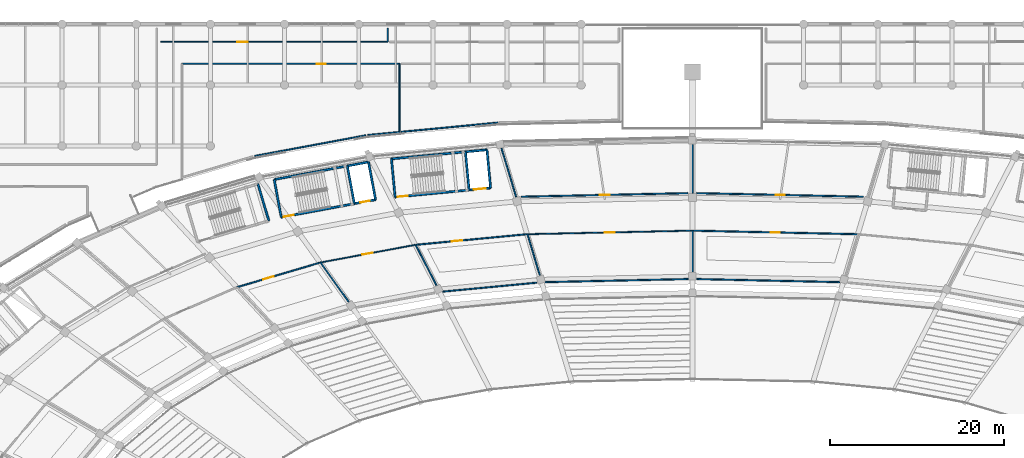
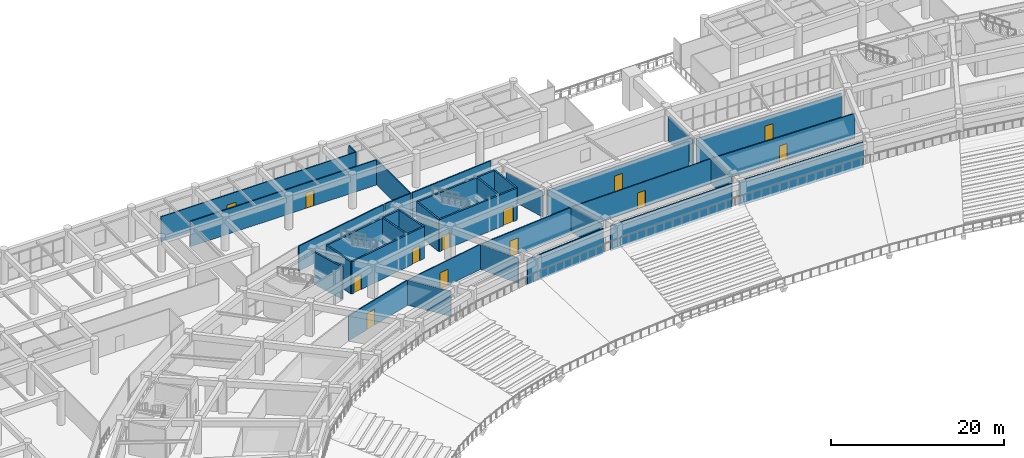
# One storey, part 112 of 152: 34 walls, 13 doors, 13 openings.
"""IFC4 building model written with IfcOpenShell, lengths in metres."""

from ifc_helpers import new_model, si_unit, direction, frame, frame_2d, origin, place, context, subcontext, project, spatial, rectangle, extrude, material, layer, layer_set, type_object, element, fill, save


model = new_model("IFC4")

# Units and contexts
model_context = context("Model", 3, precision=1e-05, world=origin(), true_north=direction((0.0, 1.0)))
body_context = subcontext(model_context, "Body", "Model", "MODEL_VIEW")
ifc_project = project(units=[si_unit("LENGTHUNIT", "METRE"), si_unit("AREAUNIT", "SQUARE_METRE"), si_unit("VOLUMEUNIT", "CUBIC_METRE"), si_unit("PLANEANGLEUNIT", "RADIAN"), si_unit("MASSUNIT", "GRAM", prefix="KILO")], contexts=[model_context])

# Site, building, storey
site_placement = place(None, origin())
site = spatial("IfcSite", under=ifc_project, at=site_placement, CompositionType="ELEMENT")
building_placement = place(site_placement, origin())
building = spatial("IfcBuilding", under=site, at=building_placement, Name="Mphavela Belvedere Stadium", CompositionType="ELEMENT")
storey_placement = place(building_placement, frame((0.0, 0.0, 5.39990234375)))
storey = spatial("IfcBuildingStorey", under=building, at=storey_placement, Name="L01", CompositionType="ELEMENT", Elevation=5.39990234375)

# Walls
ifc_material_1 = material(Name="Concrete C40/50", Category="concrete")
ifc_layer_1 = layer(ifc_material_1, 0.219970703125)
ifc_layer_set_1 = layer_set([ifc_layer_1], Name="Concrete C40/50")
wall_type_1 = type_object("IfcWallType", Name="WAL-CORE-SHEAR-220", PredefinedType="SHEAR", material=ifc_layer_set_1)
wall_1_placement = place(storey_placement, frame((66.955322265625, 156.146728515625, 0.0), z_axis=(0.0, 0.0, 1.0), x_axis=(0.983093434234, 0.183104613723, 0.0)))
element("IfcWall", 1, at=wall_1_placement, inside=storey, type_object=wall_type_1, Name="Core C02 shear wall L01 rear", PredefinedType="SHEAR", context=body_context, shape_type="SweptSolid", body=[
    extrude(rectangle(XDim=11.02001953125, YDim=0.219970703125, at=frame_2d((5.510009765625, 0.0))), origin(), (0.0, 0.0, 1.0), 4.550048828125),
])
for number, where, z_axis, x_axis, name in (
    (2, (67.7626953125, 151.811279296875, 0.0), (0.0, 0.0, 1.0), (-0.183078394814, 0.983098317236, 0.0), "Core C02 shear wall L01 left"),
    (3, (78.596435546875, 153.8291015625, 0.0), (0.0, 0.0, 1.0), (-0.183078394814, 0.983098317236, 0.0), "Core C02 shear wall L01 right"),
):
    element("IfcWall", number, at=place(storey_placement, frame(where, z_axis=z_axis, x_axis=x_axis)), inside=storey, type_object=wall_type_1, Name=name, PredefinedType="SHEAR", context=body_context, shape_type="SweptSolid", body=[
        extrude(rectangle(XDim=4.409912109375, YDim=0.219970703125, at=frame_2d((2.205078125, 0.0))), origin(), (0.0, 0.0, 1.0), 4.550048828125),
    ])

# Wall, openings, doors
wall_2_placement = place(storey_placement, frame((67.7626953125, 151.811279296875, 0.0), z_axis=(0.0, 0.0, 1.0), x_axis=(0.983093434234, 0.183104613723, 0.0)))
wall_2 = element("IfcWall", 4, at=wall_2_placement, inside=storey, type_object=wall_type_1, Name="Core C02 shear wall L01 front", PredefinedType="SHEAR", context=body_context, shape_type="SweptSolid", body=[
    extrude(rectangle(XDim=11.02001953125, YDim=0.219970703125, at=frame_2d((5.510009765625, 0.0))), origin(), (0.0, 0.0, 1.0), 4.550048828125),
])
opening_1_placement = place(wall_2_placement, frame((0.300048828125, 0.0, 0.0)))
opening_1 = element("IfcOpeningElement", 5, at=opening_1_placement, cuts=wall_2, Name="Opening SD-007", PredefinedType="OPENING", context=body_context, shape_type="SweptSolid", body=[
    extrude(rectangle(XDim=1.14990234375, YDim=2.14990234375, at=frame_2d((0.574951171875, 1.074951171875))), frame((0.0, 0.1201171875, 0.0), z_axis=(0.0, -1.0, 0.0), x_axis=(1.0, 0.0, 0.0)), (0.0, 0.0, 1.0), 0.239990234375),
])
opening_2_placement = place(wall_2_placement, frame((9.22998046875, 0.0, 0.0)))
opening_2 = element("IfcOpeningElement", 6, at=opening_2_placement, cuts=wall_2, Name="Opening LD-007", PredefinedType="OPENING", context=body_context, shape_type="SweptSolid", body=[
    extrude(rectangle(XDim=1.10009765625, YDim=2.14990234375, at=frame_2d((0.550048828125, 1.074951171875))), frame((0.0, 0.1201171875, 0.0), z_axis=(0.0, -1.0, 0.0), x_axis=(1.0, 0.0, 0.0)), (0.0, 0.0, 1.0), 0.239990234375),
])
ifc_material_2 = material(Name="Stainless steel center-parting lift landing door", Category="steel")
door_type_1 = type_object("IfcDoorType", Name="DR-LIFT-SLIDE-1100", OperationType="NOTDEFINED", PredefinedType="DOOR", material=ifc_material_2)
door_1_placement = place(opening_2_placement, origin())
door_1 = element("IfcDoor", 7, at=door_1_placement, inside=storey, type_object=door_type_1, Name="Lift landing sliding door PL01 L01", OperationType="DOUBLE_DOOR_SLIDING", OverallHeight=2.14990234375, OverallWidth=1.10009765625, PredefinedType="DOOR", context=body_context, shape_type="SweptSolid", body=[
    extrude(rectangle(XDim=1.10009765625, YDim=2.14990234375, at=frame_2d((0.550048828125, 1.074951171875))), frame((0.0, 0.02490234375, 0.0), z_axis=(0.0, -1.0, 0.0), x_axis=(1.0, 0.0, 0.0)), (0.0, 0.0, 1.0), 0.050048828125),
])
fill(opening_2, door_1)
ifc_material_3 = material(Name="Steel acoustic fire-resisting stair doorset", Category="steel")
door_type_2 = type_object("IfcDoorType", Name="DR-STAIR-FIRE-1150", OperationType="NOTDEFINED", PredefinedType="DOOR", material=ifc_material_3)
door_2_placement = place(opening_1_placement, origin())
door_2 = element("IfcDoor", 8, at=door_2_placement, inside=storey, type_object=door_type_2, Name="Escape stair fire door C02 L01", OperationType="SINGLE_SWING_RIGHT", OverallHeight=2.14990234375, OverallWidth=1.14990234375, PredefinedType="DOOR", context=body_context, shape_type="SweptSolid", body=[
    extrude(rectangle(XDim=1.14990234375, YDim=2.14990234375, at=frame_2d((0.574951171875, 1.074951171875))), frame((0.0, 0.02490234375, 0.0), z_axis=(0.0, -1.0, 0.0), x_axis=(1.0, 0.0, 0.0)), (0.0, 0.0, 1.0), 0.050048828125),
])
fill(opening_1, door_2)

# Walls
wall_3_placement = place(storey_placement, frame((76.158447265625, 153.375, 0.0), z_axis=(0.0, 0.0, 1.0), x_axis=(-0.183078394814, 0.983098317236, 0.0)))
element("IfcWall", 9, at=wall_3_placement, inside=storey, type_object=wall_type_1, Name="Core C02 shear wall L01 div", PredefinedType="SHEAR", context=body_context, shape_type="SweptSolid", body=[
    extrude(rectangle(XDim=4.409912109375, YDim=0.219970703125, at=frame_2d((2.205078125, 0.0))), origin(), (0.0, 0.0, 1.0), 4.550048828125),
])
wall_4_placement = place(storey_placement, frame((80.424072265625, 158.5205078125, 0.0), z_axis=(0.0, 0.0, 1.0), x_axis=(0.99547962713, 0.094975322952, 0.0)))
element("IfcWall", 10, at=wall_4_placement, inside=storey, type_object=wall_type_1, Name="Core C04 shear wall L01 rear", PredefinedType="SHEAR", context=body_context, shape_type="SweptSolid", body=[
    extrude(rectangle(XDim=11.02001953125, YDim=0.219970703125, at=frame_2d((5.510009765625, 0.0))), origin(), (0.0, 0.0, 1.0), 4.550048828125),
])
for number, where, z_axis, x_axis, name in (
    (11, (80.843017578125, 154.13037109375, 0.0), (0.0, 0.0, 1.0), (-0.094997189401, 0.995477540684, 0.0), "Core C04 shear wall L01 left"),
    (12, (91.81298828125, 155.177001953125, 0.0), (0.0, 0.0, 1.0), (-0.094942328893, 0.995482774429, 0.0), "Core C04 shear wall L01 right"),
):
    element("IfcWall", number, at=place(storey_placement, frame(where, z_axis=z_axis, x_axis=x_axis)), inside=storey, type_object=wall_type_1, Name=name, PredefinedType="SHEAR", context=body_context, shape_type="SweptSolid", body=[
        extrude(rectangle(XDim=4.41015625, YDim=0.219970703125, at=frame_2d((2.205078125, 0.0))), origin(), (0.0, 0.0, 1.0), 4.550048828125),
    ])

# Wall, openings, doors
wall_5_placement = place(storey_placement, frame((80.843017578125, 154.13037109375, 0.0), z_axis=(0.0, 0.0, 1.0), x_axis=(0.995479427285, 0.094977417594, 0.0)))
wall_5 = element("IfcWall", 13, at=wall_5_placement, inside=storey, type_object=wall_type_1, Name="Core C04 shear wall L01 front", PredefinedType="SHEAR", context=body_context, shape_type="SweptSolid", body=[
    extrude(rectangle(XDim=11.019775390625, YDim=0.219970703125, at=frame_2d((5.509765625, 0.0))), origin(), (0.0, 0.0, 1.0), 4.550048828125),
])
opening_3_placement = place(wall_5_placement, frame((0.300048828125, 0.0, 0.0)))
opening_3 = element("IfcOpeningElement", 14, at=opening_3_placement, cuts=wall_5, Name="Opening SD-017", PredefinedType="OPENING", context=body_context, shape_type="SweptSolid", body=[
    extrude(rectangle(XDim=1.14990234375, YDim=2.14990234375, at=frame_2d((0.574951171875, 1.074951171875))), frame((0.0, 0.1201171875, 0.0), z_axis=(0.0, -1.0, 0.0), x_axis=(1.0, 0.0, 0.0)), (0.0, 0.0, 1.0), 0.239990234375),
])
opening_4_placement = place(wall_5_placement, frame((9.080078125, 0.0, 0.0)))
opening_4 = element("IfcOpeningElement", 15, at=opening_4_placement, cuts=wall_5, Name="Opening LD-017", PredefinedType="OPENING", context=body_context, shape_type="SweptSolid", body=[
    extrude(rectangle(XDim=1.39990234375, YDim=2.25, at=frame_2d((0.699951171875, 1.125))), frame((0.0, 0.1201171875, 0.0), z_axis=(0.0, -1.0, 0.0), x_axis=(1.0, 0.0, 0.0)), (0.0, 0.0, 1.0), 0.239990234375),
])
ifc_material_4 = material(Name="Heavy-duty stainless steel goods lift landing door", Category="steel")
door_type_3 = type_object("IfcDoorType", Name="DR-LIFT-SLIDE-1400", OperationType="NOTDEFINED", PredefinedType="DOOR", material=ifc_material_4)
door_3_placement = place(opening_4_placement, origin())
door_3 = element("IfcDoor", 16, at=door_3_placement, inside=storey, type_object=door_type_3, Name="Lift landing sliding door GL01 L01", OperationType="DOUBLE_DOOR_SLIDING", OverallHeight=2.25, OverallWidth=1.39990234375, PredefinedType="DOOR", context=body_context, shape_type="SweptSolid", body=[
    extrude(rectangle(XDim=1.39990234375, YDim=2.25, at=frame_2d((0.699951171875, 1.125))), frame((0.0, 0.02490234375, 0.0), z_axis=(0.0, -1.0, 0.0), x_axis=(1.0, 0.0, 0.0)), (0.0, 0.0, 1.0), 0.050048828125),
])
fill(opening_4, door_3)
door_4_placement = place(opening_3_placement, origin())
door_4 = element("IfcDoor", 17, at=door_4_placement, inside=storey, type_object=door_type_2, Name="Escape stair fire door C04 L01", OperationType="SINGLE_SWING_LEFT", OverallHeight=2.14990234375, OverallWidth=1.14990234375, PredefinedType="DOOR", context=body_context, shape_type="SweptSolid", body=[
    extrude(rectangle(XDim=1.14990234375, YDim=2.14990234375, at=frame_2d((0.574951171875, 1.074951171875))), frame((0.0, 0.02490234375, 0.0), z_axis=(0.0, -1.0, 0.0), x_axis=(1.0, 0.0, 0.0)), (0.0, 0.0, 1.0), 0.050048828125),
])
fill(opening_3, door_4)

# Walls
wall_6_placement = place(storey_placement, frame((89.34423828125, 154.94140625, 0.0), z_axis=(0.0, 0.0, 1.0), x_axis=(-0.094942328893, 0.995482774429, 0.0)))
element("IfcWall", 18, at=wall_6_placement, inside=storey, type_object=wall_type_1, Name="Core C04 shear wall L01 div", PredefinedType="SHEAR", context=body_context, shape_type="SweptSolid", body=[
    extrude(rectangle(XDim=4.41015625, YDim=0.219970703125, at=frame_2d((2.205078125, 0.0))), origin(), (0.0, 0.0, 1.0), 4.550048828125),
])
wall_7_placement = place(storey_placement, frame((66.3369140625, 151.416015625, 0.0), z_axis=(0.0, 0.0, 1.0), x_axis=(-0.284497328872, 0.958676832861, 0.0)))
element("IfcWall", 19, at=wall_7_placement, inside=storey, type_object=wall_type_1, Name="Core P03 shear wall L01 right", PredefinedType="SHEAR", context=body_context, shape_type="SweptSolid", body=[
    extrude(rectangle(XDim=4.409912109375, YDim=0.219970703125, at=frame_2d((2.205078125, 0.0))), origin(), (0.0, 0.0, 1.0), 4.550048828125),
])

# Wall, opening, door
ifc_material_5 = material(Name="Moisture-resistant sanitary partition assembly")
ifc_layer_2 = layer(ifc_material_5, 0.125)
ifc_layer_set_2 = layer_set([ifc_layer_2], Name="Moisture-resistant sanitary partition assembly")
wall_type_2 = type_object("IfcWallType", Name="WAL-PART-125", PredefinedType="PARTITIONING", material=ifc_layer_set_2)
wall_8_placement = place(storey_placement, frame((96.04736328125, 149.866455078125, 0.0), z_axis=(0.0, 0.0, 1.0), x_axis=(0.999768266483, 0.021527037261, 0.0)))
wall_8 = element("IfcWall", 20, at=wall_8_placement, inside=storey, type_object=wall_type_2, Name="Room L01-66 corridor partition", PredefinedType="PARTITIONING", context=body_context, shape_type="SweptSolid", body=[
    extrude(rectangle(XDim=18.9169921875, YDim=0.125, at=frame_2d((9.45849609375, 0.0))), origin(), (0.0, 0.0, 1.0), 3.550048828125),
])
opening_5_placement = place(wall_8_placement, frame((8.908447265625, 0.0, 0.0)))
opening_5 = element("IfcOpeningElement", 21, at=opening_5_placement, cuts=wall_8, Name="Opening ID-102", PredefinedType="OPENING", context=body_context, shape_type="SweptSolid", body=[
    extrude(rectangle(XDim=1.10009765625, YDim=2.300048828125, at=frame_2d((0.550048828125, 1.14990234375))), frame((0.0, 0.072509765625, 0.0), z_axis=(0.0, -1.0, 0.0), x_axis=(1.0, 0.0, 0.0)), (0.0, 0.0, 1.0), 0.14501953125),
])
ifc_material_6 = material(Name="Hardwood acoustic timber doorset", Category="wood")
door_type_4 = type_object("IfcDoorType", Name="DR-INT-30", OperationType="NOTDEFINED", PredefinedType="DOOR", material=ifc_material_6)
door_5_placement = place(opening_5_placement, origin())
door_5 = element("IfcDoor", 22, at=door_5_placement, inside=storey, type_object=door_type_4, Name="Room L01-66 entrance door ID-102", OperationType="SINGLE_SWING_RIGHT", OverallHeight=2.300048828125, OverallWidth=1.10009765625, PredefinedType="DOOR", context=body_context, shape_type="SweptSolid", body=[
    extrude(rectangle(XDim=1.10009765625, YDim=2.300048828125, at=frame_2d((0.550048828125, 1.14990234375))), frame((0.0, 0.02490234375, 0.0), z_axis=(0.0, -1.0, 0.0), x_axis=(1.0, 0.0, 0.0)), (0.0, 0.0, 1.0), 0.050048828125),
])
fill(opening_5, door_5)

wall_9_placement = place(storey_placement, frame((72.268310546875, 146.6142578125, 0.0), z_axis=(0.0, 0.0, 1.0), x_axis=(0.983097372707, 0.183083466695, 0.0)))
wall_9 = element("IfcWall", 23, at=wall_9_placement, inside=storey, type_object=wall_type_2, Name="Room L01-71 corridor partition", PredefinedType="PARTITIONING", context=body_context, shape_type="SweptSolid", body=[
    extrude(rectangle(XDim=11.03466796875, YDim=0.125, at=frame_2d((5.517333984375, 0.0))), origin(), (0.0, 0.0, 1.0), 3.550048828125),
])
opening_6_placement = place(wall_9_placement, frame((4.9072265625, 0.0, 0.0)))
opening_6 = element("IfcOpeningElement", 24, at=opening_6_placement, cuts=wall_9, Name="Opening ID-105", PredefinedType="OPENING", context=body_context, shape_type="SweptSolid", body=[
    extrude(rectangle(XDim=1.219970703125, YDim=2.300048828125, at=frame_2d((0.60986328125, 1.14990234375))), frame((0.0, 0.072509765625, 0.0), z_axis=(0.0, -1.0, 0.0), x_axis=(1.0, 0.0, 0.0)), (0.0, 0.0, 1.0), 0.14501953125),
])
ifc_material_7 = material(Name="Hardwood acoustic timber doorset", Category="wood")
door_type_5 = type_object("IfcDoorType", Name="DR-INT-33", OperationType="NOTDEFINED", PredefinedType="DOOR", material=ifc_material_7)
door_6_placement = place(opening_6_placement, origin())
door_6 = element("IfcDoor", 25, at=door_6_placement, inside=storey, type_object=door_type_5, Name="Room L01-71 entrance door ID-105", OperationType="SINGLE_SWING_LEFT", OverallHeight=2.300048828125, OverallWidth=1.219970703125, PredefinedType="DOOR", context=body_context, shape_type="SweptSolid", body=[
    extrude(rectangle(XDim=1.219970703125, YDim=2.300048828125, at=frame_2d((0.60986328125, 1.14990234375))), frame((0.0, 0.02490234375, 0.0), z_axis=(0.0, -1.0, 0.0), x_axis=(1.0, 0.0, 0.0)), (0.0, 0.0, 1.0), 0.050048828125),
])
fill(opening_6, door_6)

wall_10_placement = place(storey_placement, frame((80.0, 171.9599609375, 0.0), z_axis=(0.0, 0.0, 1.0), x_axis=(-1.0, 0.0, 0.0)))
wall_10 = element("IfcWall", 26, at=wall_10_placement, inside=storey, type_object=wall_type_2, Name="Room L01-177 corridor partition", PredefinedType="PARTITIONING", context=body_context, shape_type="SweptSolid", body=[
    extrude(rectangle(XDim=26.10009765625, YDim=0.125, at=frame_2d((13.050048828125, 0.0))), origin(), (0.0, 0.0, 1.0), 3.550048828125),
])
opening_7_placement = place(wall_10_placement, frame((16.075927734375, 0.0, 0.0)))
opening_7 = element("IfcOpeningElement", 27, at=opening_7_placement, cuts=wall_10, Name="Opening ID-441", PredefinedType="OPENING", context=body_context, shape_type="SweptSolid", body=[
    extrude(rectangle(XDim=1.219970703125, YDim=2.10009765625, at=frame_2d((0.60986328125, 1.050048828125))), frame((0.0, 0.072509765625, 0.0), z_axis=(0.0, -1.0, 0.0), x_axis=(1.0, 0.0, 0.0)), (0.0, 0.0, 1.0), 0.14501953125),
])
ifc_material_8 = material(Name="Hardwood acoustic timber doorset", Category="wood")
door_type_6 = type_object("IfcDoorType", Name="DR-INT-09", OperationType="NOTDEFINED", PredefinedType="DOOR", material=ifc_material_8)
door_7_placement = place(opening_7_placement, origin())
door_7 = element("IfcDoor", 28, at=door_7_placement, inside=storey, type_object=door_type_6, Name="Room L01-177 entrance door ID-441", OperationType="SINGLE_SWING_LEFT", OverallHeight=2.10009765625, OverallWidth=1.219970703125, PredefinedType="DOOR", context=body_context, shape_type="SweptSolid", body=[
    extrude(rectangle(XDim=1.219970703125, YDim=2.10009765625, at=frame_2d((0.60986328125, 1.050048828125))), frame((0.0, 0.02490234375, 0.0), z_axis=(0.0, -1.0, 0.0), x_axis=(1.0, 0.0, 0.0)), (0.0, 0.0, 1.0), 0.050048828125),
])
fill(opening_7, door_7)

ifc_material_9 = material(Name="Acoustic gypsum stud partition assembly")
ifc_layer_3 = layer(ifc_material_9, 0.14990234375)
ifc_layer_set_3 = layer_set([ifc_layer_3], Name="Acoustic gypsum stud partition assembly")
wall_type_3 = type_object("IfcWallType", Name="WAL-PART-150", PredefinedType="PARTITIONING", material=ifc_layer_set_3)
wall_11_placement = place(storey_placement, frame((115.0400390625, 150.273681640625, 0.0), z_axis=(0.0, 0.0, 1.0), x_axis=(0.999768266483, -0.021527037261, 0.0)))
wall_11 = element("IfcWall", 29, at=wall_11_placement, inside=storey, type_object=wall_type_3, Name="Room L01-63 corridor partition", PredefinedType="PARTITIONING", context=body_context, shape_type="SweptSolid", body=[
    extrude(rectangle(XDim=18.9169921875, YDim=0.14990234375, at=frame_2d((9.45849609375, 0.0))), origin(), (0.0, 0.0, 1.0), 3.550048828125),
])
opening_8_placement = place(wall_11_placement, frame((8.948486328125, 0.0, 0.0)))
opening_8 = element("IfcOpeningElement", 30, at=opening_8_placement, cuts=wall_11, Name="Opening ID-100", PredefinedType="OPENING", context=body_context, shape_type="SweptSolid", body=[
    extrude(rectangle(XDim=1.02001953125, YDim=2.300048828125, at=frame_2d((0.510009765625, 1.14990234375))), frame((0.0, 0.0849609375, 0.0), z_axis=(0.0, -1.0, 0.0), x_axis=(1.0, 0.0, 0.0)), (0.0, 0.0, 1.0), 0.169921875),
])
ifc_material_10 = material(Name="Hardwood acoustic timber doorset", Category="wood")
door_type_7 = type_object("IfcDoorType", Name="DR-INT-28", OperationType="NOTDEFINED", PredefinedType="DOOR", material=ifc_material_10)
door_8_placement = place(opening_8_placement, origin())
door_8 = element("IfcDoor", 31, at=door_8_placement, inside=storey, type_object=door_type_7, Name="Room L01-63 entrance door ID-100", OperationType="SINGLE_SWING_RIGHT", OverallHeight=2.300048828125, OverallWidth=1.02001953125, PredefinedType="DOOR", context=body_context, shape_type="SweptSolid", body=[
    extrude(rectangle(XDim=1.02001953125, YDim=2.300048828125, at=frame_2d((0.510009765625, 1.14990234375))), frame((0.0, 0.02490234375, 0.0), z_axis=(0.0, -1.0, 0.0), x_axis=(1.0, 0.0, 0.0)), (0.0, 0.0, 1.0), 0.050048828125),
])
fill(opening_8, door_8)

wall_12_placement = place(storey_placement, frame((134.64404296875, 154.1708984375, 0.0), z_axis=(0.0, 0.0, 1.0), x_axis=(-0.999768107727, 0.021534409017, 0.0)))
wall_12 = element("IfcWall", 32, at=wall_12_placement, inside=storey, type_object=wall_type_3, Name="Room L01-64 corridor partition", PredefinedType="PARTITIONING", context=body_context, shape_type="SweptSolid", body=[
    extrude(rectangle(XDim=19.13720703125, YDim=0.14990234375, at=frame_2d((9.568603515625, 0.0))), origin(), (0.0, 0.0, 1.0), 3.550048828125),
])
opening_9_placement = place(wall_12_placement, frame((9.038818359375, 0.0, 0.0)))
opening_9 = element("IfcOpeningElement", 33, at=opening_9_placement, cuts=wall_12, Name="Opening ID-101", PredefinedType="OPENING", context=body_context, shape_type="SweptSolid", body=[
    extrude(rectangle(XDim=1.06005859375, YDim=2.300048828125, at=frame_2d((0.530029296875, 1.14990234375))), frame((0.0, 0.0849609375, 0.0), z_axis=(0.0, -1.0, 0.0), x_axis=(1.0, 0.0, 0.0)), (0.0, 0.0, 1.0), 0.169921875),
])
ifc_material_11 = material(Name="Hardwood acoustic timber doorset", Category="wood")
door_type_8 = type_object("IfcDoorType", Name="DR-INT-29", OperationType="NOTDEFINED", PredefinedType="DOOR", material=ifc_material_11)
door_9_placement = place(opening_9_placement, origin())
door_9 = element("IfcDoor", 34, at=door_9_placement, inside=storey, type_object=door_type_8, Name="Room L01-64 entrance door ID-101", OperationType="SINGLE_SWING_LEFT", OverallHeight=2.300048828125, OverallWidth=1.06005859375, PredefinedType="DOOR", context=body_context, shape_type="SweptSolid", body=[
    extrude(rectangle(XDim=1.06005859375, YDim=2.300048828125, at=frame_2d((0.530029296875, 1.14990234375))), frame((0.0, 0.02490234375, 0.0), z_axis=(0.0, -1.0, 0.0), x_axis=(1.0, 0.0, 0.0)), (0.0, 0.0, 1.0), 0.050048828125),
])
fill(opening_9, door_9)

wall_13_placement = place(storey_placement, frame((114.48876953125, 154.5830078125, 0.0), z_axis=(0.0, 0.0, 1.0), x_axis=(-0.999768107727, -0.021534409017, 0.0)))
wall_13 = element("IfcWall", 35, at=wall_13_placement, inside=storey, type_object=wall_type_3, Name="Room L01-67 corridor partition", PredefinedType="PARTITIONING", context=body_context, shape_type="SweptSolid", body=[
    extrude(rectangle(XDim=19.13720703125, YDim=0.14990234375, at=frame_2d((9.568603515625, 0.0))), origin(), (0.0, 0.0, 1.0), 3.550048828125),
])
opening_10_placement = place(wall_13_placement, frame((8.998779296875, 0.0, 0.0)))
opening_10 = element("IfcOpeningElement", 36, at=opening_10_placement, cuts=wall_13, Name="Opening ID-103", PredefinedType="OPENING", context=body_context, shape_type="SweptSolid", body=[
    extrude(rectangle(XDim=1.139892578125, YDim=2.300048828125, at=frame_2d((0.56982421875, 1.14990234375))), frame((0.0, 0.0849609375, 0.0), z_axis=(0.0, -1.0, 0.0), x_axis=(1.0, 0.0, 0.0)), (0.0, 0.0, 1.0), 0.169921875),
])
ifc_material_12 = material(Name="Hardwood acoustic timber doorset", Category="wood")
door_type_9 = type_object("IfcDoorType", Name="DR-INT-31", OperationType="NOTDEFINED", PredefinedType="DOOR", material=ifc_material_12)
door_10_placement = place(opening_10_placement, origin())
door_10 = element("IfcDoor", 37, at=door_10_placement, inside=storey, type_object=door_type_9, Name="Room L01-67 entrance door ID-103", OperationType="SINGLE_SWING_LEFT", OverallHeight=2.300048828125, OverallWidth=1.139892578125, PredefinedType="DOOR", context=body_context, shape_type="SweptSolid", body=[
    extrude(rectangle(XDim=1.139892578125, YDim=2.300048828125, at=frame_2d((0.56982421875, 1.14990234375))), frame((0.0, 0.02490234375, 0.0), z_axis=(0.0, -1.0, 0.0), x_axis=(1.0, 0.0, 0.0)), (0.0, 0.0, 1.0), 0.050048828125),
])
fill(opening_10, door_10)

wall_14_placement = place(storey_placement, frame((83.200927734375, 148.645263671875, 0.0), z_axis=(0.0, 0.0, 1.0), x_axis=(0.995485111947, 0.094917816515, 0.0)))
wall_14 = element("IfcWall", 38, at=wall_14_placement, inside=storey, type_object=wall_type_3, Name="Room L01-69 corridor partition", PredefinedType="PARTITIONING", context=body_context, shape_type="SweptSolid", body=[
    extrude(rectangle(XDim=12.822021484375, YDim=0.14990234375, at=frame_2d((6.4111328125, 0.0))), origin(), (0.0, 0.0, 1.0), 3.550048828125),
])
opening_11_placement = place(wall_14_placement, frame((4.170654296875, 0.0, 0.0)))
opening_11 = element("IfcOpeningElement", 39, at=opening_11_placement, cuts=wall_14, Name="Opening ID-104", PredefinedType="OPENING", context=body_context, shape_type="SweptSolid", body=[
    extrude(rectangle(XDim=1.179931640625, YDim=2.300048828125, at=frame_2d((0.58984375, 1.14990234375))), frame((0.0, 0.0849609375, 0.0), z_axis=(0.0, -1.0, 0.0), x_axis=(1.0, 0.0, 0.0)), (0.0, 0.0, 1.0), 0.169921875),
])
ifc_material_13 = material(Name="Hardwood acoustic timber doorset", Category="wood")
door_type_10 = type_object("IfcDoorType", Name="DR-INT-32", OperationType="NOTDEFINED", PredefinedType="DOOR", material=ifc_material_13)
door_11_placement = place(opening_11_placement, origin())
door_11 = element("IfcDoor", 40, at=door_11_placement, inside=storey, type_object=door_type_10, Name="Room L01-69 entrance door ID-104", OperationType="SINGLE_SWING_RIGHT", OverallHeight=2.300048828125, OverallWidth=1.179931640625, PredefinedType="DOOR", context=body_context, shape_type="SweptSolid", body=[
    extrude(rectangle(XDim=1.179931640625, YDim=2.300048828125, at=frame_2d((0.58984375, 1.14990234375))), frame((0.0, 0.02490234375, 0.0), z_axis=(0.0, -1.0, 0.0), x_axis=(1.0, 0.0, 0.0)), (0.0, 0.0, 1.0), 0.050048828125),
])
fill(opening_11, door_11)

wall_15_placement = place(storey_placement, frame((62.701171875, 143.781005859375, 0.0), z_axis=(0.0, 0.0, 1.0), x_axis=(0.958655809656, 0.284568161629, 0.0)))
wall_15 = element("IfcWall", 41, at=wall_15_placement, inside=storey, type_object=wall_type_3, Name="Room L01-73 corridor partition", PredefinedType="PARTITIONING", context=body_context, shape_type="SweptSolid", body=[
    extrude(rectangle(XDim=9.89111328125, YDim=0.14990234375, at=frame_2d((4.945556640625, 0.0))), origin(), (0.0, 0.0, 1.0), 3.550048828125),
])
opening_12_placement = place(wall_15_placement, frame((3.116943359375, 0.0, 0.0)))
opening_12 = element("IfcOpeningElement", 42, at=opening_12_placement, cuts=wall_15, Name="Opening ID-106", PredefinedType="OPENING", context=body_context, shape_type="SweptSolid", body=[
    extrude(rectangle(XDim=1.260009765625, YDim=2.300048828125, at=frame_2d((0.6298828125, 1.14990234375))), frame((0.0, 0.0849609375, 0.0), z_axis=(0.0, -1.0, 0.0), x_axis=(1.0, 0.0, 0.0)), (0.0, 0.0, 1.0), 0.169921875),
])
ifc_material_14 = material(Name="Hardwood acoustic timber doorset", Category="wood")
door_type_11 = type_object("IfcDoorType", Name="DR-INT-34", OperationType="NOTDEFINED", PredefinedType="DOOR", material=ifc_material_14)
door_12_placement = place(opening_12_placement, origin())
door_12 = element("IfcDoor", 43, at=door_12_placement, inside=storey, type_object=door_type_11, Name="Room L01-73 entrance door ID-106", OperationType="SINGLE_SWING_RIGHT", OverallHeight=2.300048828125, OverallWidth=1.260009765625, PredefinedType="DOOR", context=body_context, shape_type="SweptSolid", body=[
    extrude(rectangle(XDim=1.260009765625, YDim=2.300048828125, at=frame_2d((0.6298828125, 1.14990234375))), frame((0.0, 0.02490234375, 0.0), z_axis=(0.0, -1.0, 0.0), x_axis=(1.0, 0.0, 0.0)), (0.0, 0.0, 1.0), 0.050048828125),
])
fill(opening_12, door_12)

wall_16_placement = place(storey_placement, frame((56.360107421875, 169.43994140625, 0.0), z_axis=(0.0, 0.0, 1.0), x_axis=(1.0, 0.0, 0.0)))
wall_16 = element("IfcWall", 44, at=wall_16_placement, inside=storey, type_object=wall_type_3, Name="Room L01-184 corridor partition", PredefinedType="PARTITIONING", context=body_context, shape_type="SweptSolid", body=[
    extrude(rectangle(XDim=24.994873046875, YDim=0.14990234375, at=frame_2d((12.49755859375, 0.0))), origin(), (0.0, 0.0, 1.0), 3.550048828125),
])
opening_13_placement = place(wall_16_placement, frame((15.48779296875, 0.0, 0.0)))
opening_13 = element("IfcOpeningElement", 45, at=opening_13_placement, cuts=wall_16, Name="Opening ID-448", PredefinedType="OPENING", context=body_context, shape_type="SweptSolid", body=[
    extrude(rectangle(XDim=1.02001953125, YDim=2.199951171875, at=frame_2d((0.510009765625, 1.10009765625))), frame((0.0, 0.0849609375, 0.0), z_axis=(0.0, -1.0, 0.0), x_axis=(1.0, 0.0, 0.0)), (0.0, 0.0, 1.0), 0.169921875),
])
ifc_material_15 = material(Name="Hardwood acoustic timber doorset", Category="wood")
door_type_12 = type_object("IfcDoorType", Name="DR-INT-16", OperationType="NOTDEFINED", PredefinedType="DOOR", material=ifc_material_15)
door_13_placement = place(opening_13_placement, origin())
door_13 = element("IfcDoor", 46, at=door_13_placement, inside=storey, type_object=door_type_12, Name="Room L01-184 entrance door ID-448", OperationType="SINGLE_SWING_RIGHT", OverallHeight=2.199951171875, OverallWidth=1.02001953125, PredefinedType="DOOR", context=body_context, shape_type="SweptSolid", body=[
    extrude(rectangle(XDim=1.02001953125, YDim=2.199951171875, at=frame_2d((0.510009765625, 1.10009765625))), frame((0.0, 0.02490234375, 0.0), z_axis=(0.0, -1.0, 0.0), x_axis=(1.0, 0.0, 0.0)), (0.0, 0.0, 1.0), 0.050048828125),
])
fill(opening_13, door_13)

# Walls
wall_17_placement = place(storey_placement, frame((131.9140625, 144.36083984375, 0.0), z_axis=(0.0, 0.0, 1.0), x_axis=(-0.999768337691, 0.021523729954, 0.0)))
element("IfcWall", 47, at=wall_17_placement, inside=storey, type_object=wall_type_3, Name="Room divider partition L01-0175", PredefinedType="PARTITIONING", context=body_context, shape_type="SweptSolid", body=[
    extrude(rectangle(XDim=16.424560546875, YDim=0.14990234375, at=frame_2d((8.21240234375, 0.0))), origin(), (0.0, 0.0, 1.0), 3.550048828125),
])
wall_18_placement = place(storey_placement, frame((115.0400390625, 145.532470703125, 0.0), z_axis=(0.0, 0.0, 1.0), x_axis=(0.0, 1.0, 0.0)))
element("IfcWall", 48, at=wall_18_placement, inside=storey, type_object=wall_type_3, Name="Room divider partition L01-0176", PredefinedType="PARTITIONING", context=body_context, shape_type="SweptSolid", body=[
    extrude(rectangle(XDim=4.7412109375, YDim=0.14990234375, at=frame_2d((2.37060546875, 0.0))), origin(), (0.0, 0.0, 1.0), 3.550048828125),
])
wall_19_placement = place(storey_placement, frame((115.0400390625, 154.593017578125, 0.0), z_axis=(0.0, 0.0, 1.0), x_axis=(0.0, 1.0, 0.0)))
element("IfcWall", 49, at=wall_19_placement, inside=storey, type_object=wall_type_3, Name="Room divider partition L01-0177", PredefinedType="PARTITIONING", context=body_context, shape_type="SweptSolid", body=[
    extrude(rectangle(XDim=5.576904296875, YDim=0.14990234375, at=frame_2d((2.78857421875, 0.0))), origin(), (0.0, 0.0, 1.0), 3.550048828125),
])
wall_20_placement = place(storey_placement, frame((114.506591796875, 144.71435546875, 0.0), z_axis=(0.0, 0.0, 1.0), x_axis=(-0.999768337691, -0.021523729954, 0.0)))
element("IfcWall", 50, at=wall_20_placement, inside=storey, type_object=wall_type_3, Name="Room divider partition L01-0179", PredefinedType="PARTITIONING", context=body_context, shape_type="SweptSolid", body=[
    extrude(rectangle(XDim=16.424560546875, YDim=0.14990234375, at=frame_2d((8.21240234375, 0.0))), origin(), (0.0, 0.0, 1.0), 3.550048828125),
])
wall_21_placement = place(storey_placement, frame((97.47314453125, 145.147705078125, 0.0), z_axis=(0.0, 0.0, 1.0), x_axis=(-0.289237529827, 0.957257358989, 0.0)))
element("IfcWall", 51, at=wall_21_placement, inside=storey, type_object=wall_type_3, Name="Room divider partition L01-0180", PredefinedType="PARTITIONING", context=body_context, shape_type="SweptSolid", body=[
    extrude(rectangle(XDim=4.929443359375, YDim=0.14990234375, at=frame_2d((2.46484375, 0.0))), origin(), (0.0, 0.0, 1.0), 3.550048828125),
])
wall_22_placement = place(storey_placement, frame((94.750732421875, 154.157958984375, 0.0), z_axis=(0.0, 0.0, 1.0), x_axis=(-0.289195444178, 0.957270074256, 0.0)))
element("IfcWall", 52, at=wall_22_placement, inside=storey, type_object=wall_type_3, Name="Room divider partition L01-0181", PredefinedType="PARTITIONING", context=body_context, shape_type="SweptSolid", body=[
    extrude(rectangle(XDim=5.8173828125, YDim=0.14990234375, at=frame_2d((2.90869140625, 0.0))), origin(), (0.0, 0.0, 1.0), 3.550048828125),
])
wall_23_placement = place(storey_placement, frame((97.111572265625, 144.2978515625, 0.0), z_axis=(0.0, 0.0, 1.0), x_axis=(-0.995483110957, -0.094938800289, 0.0)))
element("IfcWall", 53, at=wall_23_placement, inside=storey, type_object=wall_type_3, Name="Room divider partition L01-0182", PredefinedType="PARTITIONING", context=body_context, shape_type="SweptSolid", body=[
    extrude(rectangle(XDim=10.83642578125, YDim=0.14990234375, at=frame_2d((5.418212890625, 0.0))), origin(), (0.0, 0.0, 1.0), 3.550048828125),
])
wall_24_placement = place(storey_placement, frame((85.6025390625, 143.996337890625, 0.0), z_axis=(0.0, 0.0, 1.0), x_axis=(-0.458969721202, 0.888451909233, 0.0)))
element("IfcWall", 54, at=wall_24_placement, inside=storey, type_object=wall_type_3, Name="Room divider partition L01-0183", PredefinedType="PARTITIONING", context=body_context, shape_type="SweptSolid", body=[
    extrude(rectangle(XDim=5.232666015625, YDim=0.14990234375, at=frame_2d((2.6162109375, 0.0))), origin(), (0.0, 0.0, 1.0), 3.550048828125),
])
wall_25_placement = place(storey_placement, frame((75.5107421875, 142.095947265625, 0.0), z_axis=(0.0, 0.0, 1.0), x_axis=(-0.583030732909, 0.812450099688, 0.0)))
element("IfcWall", 55, at=wall_25_placement, inside=storey, type_object=wall_type_3, Name="Room divider partition L01-0185", PredefinedType="PARTITIONING", context=body_context, shape_type="SweptSolid", body=[
    extrude(rectangle(XDim=5.561279296875, YDim=0.14990234375, at=frame_2d((2.78076171875, 0.0))), origin(), (0.0, 0.0, 1.0), 3.550048828125),
])
wall_26_placement = place(storey_placement, frame((80.0, 173.550048828125, 0.0), z_axis=(0.0, 0.0, 1.0), x_axis=(0.0, -1.0, 0.0)))
element("IfcWall", 56, at=wall_26_placement, inside=storey, type_object=wall_type_3, Name="Room divider partition L01-0955", PredefinedType="PARTITIONING", context=body_context, shape_type="SweptSolid", body=[
    extrude(rectangle(XDim=1.590087890625, YDim=0.14990234375, at=frame_2d((0.794921875, 0.0))), origin(), (0.0, 0.0, 1.0), 3.550048828125),
])
wall_27_placement = place(storey_placement, frame((77.469482421875, 161.22509765625, 0.0), z_axis=(0.0, 0.0, 1.0), x_axis=(-0.983094545276, -0.183098648406, 0.0)))
element("IfcWall", 57, at=wall_27_placement, inside=storey, type_object=wall_type_3, Name="Room divider partition L01-0972", PredefinedType="PARTITIONING", context=body_context, shape_type="SweptSolid", body=[
    extrude(rectangle(XDim=12.947265625, YDim=0.14990234375, at=frame_2d((6.4736328125, 0.0))), origin(), (0.0, 0.0, 1.0), 3.550048828125),
])
wall_28_placement = place(storey_placement, frame((81.35498046875, 169.43994140625, 0.0), z_axis=(0.0, 0.0, 1.0), x_axis=(0.0, -1.0, 0.0)))
element("IfcWall", 58, at=wall_28_placement, inside=storey, type_object=wall_type_3, Name="Room divider partition L01-0975", PredefinedType="PARTITIONING", context=body_context, shape_type="SweptSolid", body=[
    extrude(rectangle(XDim=7.834228515625, YDim=0.14990234375, at=frame_2d((3.9169921875, 0.0))), origin(), (0.0, 0.0, 1.0), 3.550048828125),
])
wall_29_placement = place(storey_placement, frame((81.35498046875, 161.605712890625, 0.0), z_axis=(0.0, 0.0, 1.0), x_axis=(-0.995481155674, -0.094959300221, 0.0)))
element("IfcWall", 59, at=wall_29_placement, inside=storey, type_object=wall_type_3, Name="Room divider partition L01-0976", PredefinedType="PARTITIONING", context=body_context, shape_type="SweptSolid", body=[
    extrude(rectangle(XDim=3.681640625, YDim=0.14990234375, at=frame_2d((1.8408203125, 0.0))), origin(), (0.0, 0.0, 1.0), 3.550048828125),
])
wall_30_placement = place(storey_placement, frame((92.648193359375, 162.6826171875, 0.0), z_axis=(0.0, 0.0, 1.0), x_axis=(-0.995483944756, -0.094930057059, 0.0)))
element("IfcWall", 60, at=wall_30_placement, inside=storey, type_object=wall_type_3, Name="Room divider partition L01-0977", PredefinedType="PARTITIONING", context=body_context, shape_type="SweptSolid", body=[
    extrude(rectangle(XDim=11.1435546875, YDim=0.14990234375, at=frame_2d((5.57177734375, 0.0))), origin(), (0.0, 0.0, 1.0), 3.550048828125),
])

save(model, "model.ifc")
